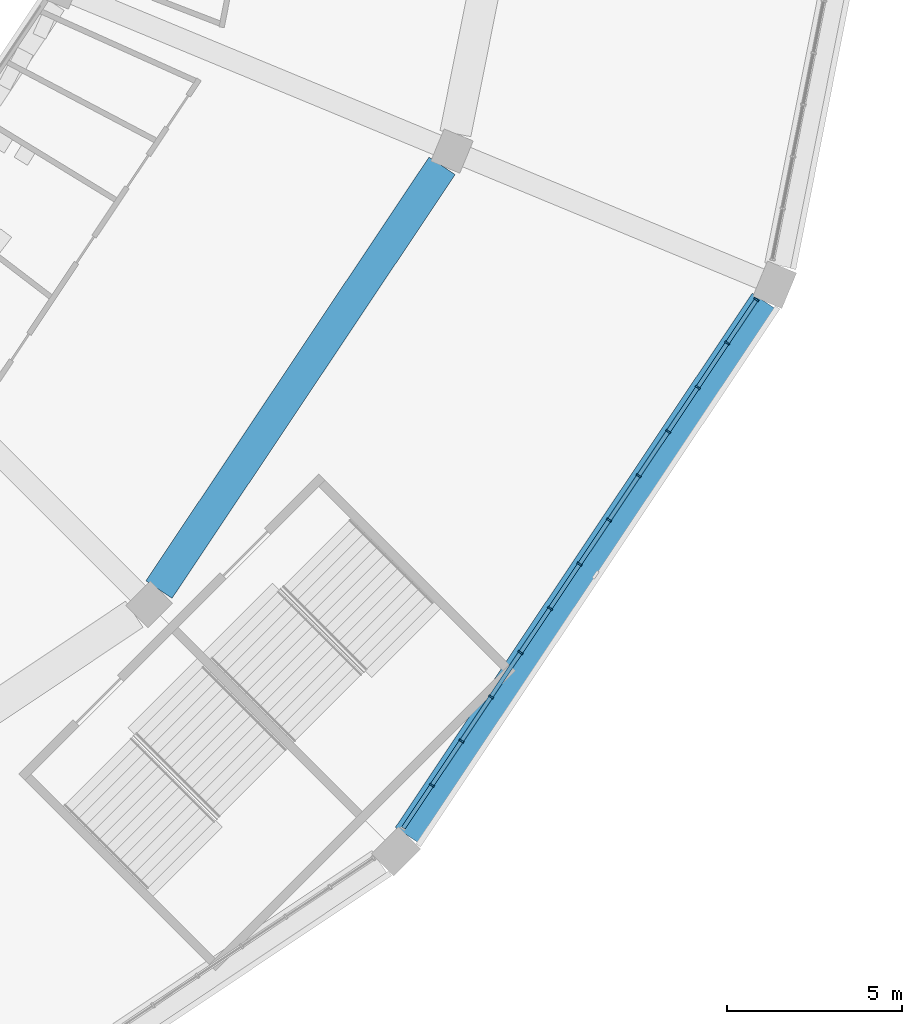
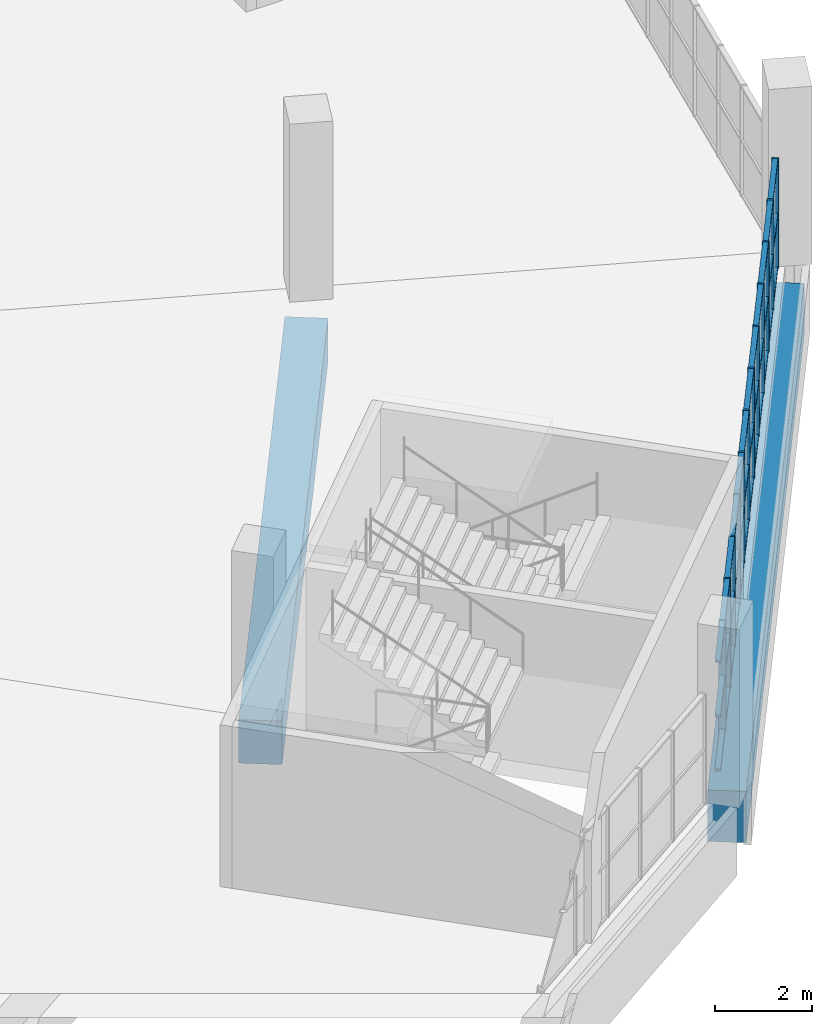
# One storey, part 24 of 199: 48 members, 2 beams, 1 element without a shape of its own.
"""IFC4 building model written with IfcOpenShell, lengths in metres."""

from ifc_helpers import new_model, si_unit, direction, frame, origin, origin_2d, place, context, subcontext, project, spatial, rectangle, extrude, material, material_profile, profile_set, type_object, element, aggregate, save


model = new_model("IFC4")

# Units and contexts
model_context = context("Model", 3, precision=1e-05, world=origin(), true_north=direction((0.0, 1.0)))
body_context = subcontext(model_context, "Body", "Model", "MODEL_VIEW")
ifc_project = project(units=[si_unit("LENGTHUNIT", "METRE"), si_unit("AREAUNIT", "SQUARE_METRE"), si_unit("VOLUMEUNIT", "CUBIC_METRE"), si_unit("PLANEANGLEUNIT", "RADIAN"), si_unit("MASSUNIT", "GRAM", prefix="KILO")], contexts=[model_context])

# Site, building, storey
site_placement = place(None, origin())
site = spatial("IfcSite", under=ifc_project, at=site_placement, CompositionType="ELEMENT")
building_placement = place(site_placement, origin())
building = spatial("IfcBuilding", under=site, at=building_placement, Name="Ogive Plaza Stadium", CompositionType="ELEMENT")
storey_placement = place(building_placement, frame((0.0, 0.0, 9.0)))
storey = spatial("IfcBuildingStorey", under=building, at=storey_placement, Name="L02", CompositionType="ELEMENT", Elevation=9.0)

# Curtain wall, members
ifc_material_1 = material(Name="Bronze-anodised aluminium with laminated glass", Category="aluminium")
curtain_wall_type = type_object("IfcCurtainWallType", Name="Lancet curtain wall", PredefinedType="NOTDEFINED", material=ifc_material_1)
curtain_wall_placement = place(storey_placement, origin())
curtain_wall = element("IfcCurtainWall", 1, at=curtain_wall_placement, inside=storey, type_object=curtain_wall_type, Name="CURTAIN WALL B09 L02", PredefinedType="NOTDEFINED")
ifc_material_2 = material(Name="Bronze-anodised aluminium", Category="aluminium")
ifc_material_profile_1 = material_profile(ifc_material_2, rectangle(XDim=0.14990234375, YDim=0.050048828125, at=origin_2d()), Name="AL 150x50")
ifc_profile_set_1 = profile_set([ifc_material_profile_1], Name="Bronze-anodised aluminium")
member_type_1 = type_object("IfcMemberType", Name="Curtain wall mullion 50x150", PredefinedType="MULLION", material=ifc_profile_set_1)
member_1_placement = place(storey_placement, frame((79.669189453125, -72.059814453125, 0.0), z_axis=(0.0, 0.0, 1.0), x_axis=(0.831469612303, -0.55557023302, 0.0)))
member_1 = element("IfcMember", 2, at=member_1_placement, type_object=member_type_1, Name="CW-B09-L02 mullion 1", PredefinedType="MULLION", context=body_context, shape_type="SweptSolid", body=[
    extrude(rectangle(XDim=0.14990234375, YDim=0.050048828125, at=origin_2d()), origin(), (0.0, 0.0, 1.0), 2.7900390625),
])
member_2_placement = place(storey_placement, frame((78.837158203125, -73.3046875, 0.0), z_axis=(0.0, 0.0, 1.0), x_axis=(0.831469612303, -0.55557023302, 0.0)))
member_2 = element("IfcMember", 3, at=member_2_placement, type_object=member_type_1, Name="CW-B09-L02 mullion 2", PredefinedType="MULLION", context=body_context, shape_type="SweptSolid", body=[
    extrude(rectangle(XDim=0.14990234375, YDim=0.050048828125, at=origin_2d()), origin(), (0.0, 0.0, 1.0), 2.7900390625),
])
member_3_placement = place(storey_placement, frame((77.991455078125, -74.570556640625, 0.0), z_axis=(0.0, 0.0, 1.0), x_axis=(0.831469612303, -0.55557023302, 0.0)))
member_3 = element("IfcMember", 4, at=member_3_placement, type_object=member_type_1, Name="CW-B09-L02 mullion 3", PredefinedType="MULLION", context=body_context, shape_type="SweptSolid", body=[
    extrude(rectangle(XDim=0.14990234375, YDim=0.050048828125, at=origin_2d()), origin(), (0.0, 0.0, 1.0), 2.7900390625),
])
member_4_placement = place(storey_placement, frame((77.145751953125, -75.836181640625, 0.0), z_axis=(0.0, 0.0, 1.0), x_axis=(0.831469612303, -0.55557023302, 0.0)))
member_4 = element("IfcMember", 5, at=member_4_placement, type_object=member_type_1, Name="CW-B09-L02 mullion 4", PredefinedType="MULLION", context=body_context, shape_type="SweptSolid", body=[
    extrude(rectangle(XDim=0.14990234375, YDim=0.050048828125, at=origin_2d()), origin(), (0.0, 0.0, 1.0), 2.7900390625),
])
member_5_placement = place(storey_placement, frame((76.2998046875, -77.10205078125, 0.0), z_axis=(0.0, 0.0, 1.0), x_axis=(0.831469612303, -0.55557023302, 0.0)))
member_5 = element("IfcMember", 6, at=member_5_placement, type_object=member_type_1, Name="CW-B09-L02 mullion 5", PredefinedType="MULLION", context=body_context, shape_type="SweptSolid", body=[
    extrude(rectangle(XDim=0.14990234375, YDim=0.050048828125, at=origin_2d()), origin(), (0.0, 0.0, 1.0), 2.7900390625),
])
member_6_placement = place(storey_placement, frame((75.4541015625, -78.367919921875, 0.0), z_axis=(0.0, 0.0, 1.0), x_axis=(0.831469612303, -0.55557023302, 0.0)))
member_6 = element("IfcMember", 7, at=member_6_placement, type_object=member_type_1, Name="CW-B09-L02 mullion 6", PredefinedType="MULLION", context=body_context, shape_type="SweptSolid", body=[
    extrude(rectangle(XDim=0.14990234375, YDim=0.050048828125, at=origin_2d()), origin(), (0.0, 0.0, 1.0), 2.7900390625),
])
member_7_placement = place(storey_placement, frame((74.6083984375, -79.633544921875, 0.0), z_axis=(0.0, 0.0, 1.0), x_axis=(0.831469612303, -0.55557023302, 0.0)))
member_7 = element("IfcMember", 8, at=member_7_placement, type_object=member_type_1, Name="CW-B09-L02 mullion 7", PredefinedType="MULLION", context=body_context, shape_type="SweptSolid", body=[
    extrude(rectangle(XDim=0.14990234375, YDim=0.050048828125, at=origin_2d()), origin(), (0.0, 0.0, 1.0), 2.7900390625),
])
member_8_placement = place(storey_placement, frame((73.7626953125, -80.8994140625, 0.0), z_axis=(0.0, 0.0, 1.0), x_axis=(0.831469612303, -0.55557023302, 0.0)))
member_8 = element("IfcMember", 9, at=member_8_placement, type_object=member_type_1, Name="CW-B09-L02 mullion 8", PredefinedType="MULLION", context=body_context, shape_type="SweptSolid", body=[
    extrude(rectangle(XDim=0.14990234375, YDim=0.050048828125, at=origin_2d()), origin(), (0.0, 0.0, 1.0), 2.7900390625),
])
member_9_placement = place(storey_placement, frame((72.916748046875, -82.165283203125, 0.0), z_axis=(0.0, 0.0, 1.0), x_axis=(0.831469612303, -0.55557023302, 0.0)))
member_9 = element("IfcMember", 10, at=member_9_placement, type_object=member_type_1, Name="CW-B09-L02 mullion 9", PredefinedType="MULLION", context=body_context, shape_type="SweptSolid", body=[
    extrude(rectangle(XDim=0.14990234375, YDim=0.050048828125, at=origin_2d()), origin(), (0.0, 0.0, 1.0), 2.7900390625),
])
member_10_placement = place(storey_placement, frame((72.071044921875, -83.430908203125, 0.0), z_axis=(0.0, 0.0, 1.0), x_axis=(0.831469612303, -0.55557023302, 0.0)))
member_10 = element("IfcMember", 11, at=member_10_placement, type_object=member_type_1, Name="CW-B09-L02 mullion 10", PredefinedType="MULLION", context=body_context, shape_type="SweptSolid", body=[
    extrude(rectangle(XDim=0.14990234375, YDim=0.050048828125, at=origin_2d()), origin(), (0.0, 0.0, 1.0), 2.7900390625),
])
member_11_placement = place(storey_placement, frame((71.225341796875, -84.69677734375, 0.0), z_axis=(0.0, 0.0, 1.0), x_axis=(0.831469612303, -0.55557023302, 0.0)))
member_11 = element("IfcMember", 12, at=member_11_placement, type_object=member_type_1, Name="CW-B09-L02 mullion 11", PredefinedType="MULLION", context=body_context, shape_type="SweptSolid", body=[
    extrude(rectangle(XDim=0.14990234375, YDim=0.050048828125, at=origin_2d()), origin(), (0.0, 0.0, 1.0), 2.7900390625),
])
member_12_placement = place(storey_placement, frame((70.379638671875, -85.962646484375, 0.0), z_axis=(0.0, 0.0, 1.0), x_axis=(0.831469612303, -0.55557023302, 0.0)))
member_12 = element("IfcMember", 13, at=member_12_placement, type_object=member_type_1, Name="CW-B09-L02 mullion 12", PredefinedType="MULLION", context=body_context, shape_type="SweptSolid", body=[
    extrude(rectangle(XDim=0.14990234375, YDim=0.050048828125, at=origin_2d()), origin(), (0.0, 0.0, 1.0), 2.7900390625),
])
ifc_material_3 = material(Name="Bronze-anodised aluminium", Category="aluminium")
ifc_material_profile_2 = material_profile(ifc_material_3, rectangle(XDim=0.1201171875, YDim=0.050048828125, at=origin_2d()), Name="AL 120x50")
ifc_profile_set_2 = profile_set([ifc_material_profile_2], Name="Bronze-anodised aluminium")
member_type_2 = type_object("IfcMemberType", Name="Curtain wall transom 50x120", PredefinedType="USERDEFINED", material=ifc_profile_set_2)
member_13_placement = place(storey_placement, frame((79.6552734375, -72.08056640625, 0.02490234375), z_axis=(-0.555634077892, -0.831426948977, 0.0), x_axis=(0.831426948977, -0.555634077892, 0.0)))
member_13 = element("IfcMember", 14, at=member_13_placement, type_object=member_type_2, Name="CW-B09-L02 transom 1.1", ObjectType="TRANSOM", PredefinedType="USERDEFINED", context=body_context, shape_type="SweptSolid", body=[
    extrude(rectangle(XDim=0.1201171875, YDim=0.050048828125, at=origin_2d()), origin(), (0.0, 0.0, 1.0), 1.447265625),
])
member_14_placement = place(storey_placement, frame((79.6552734375, -72.08056640625, 1.39501953125), z_axis=(-0.555634077892, -0.831426948977, 0.0), x_axis=(0.831426948977, -0.555634077892, 0.0)))
member_14 = element("IfcMember", 15, at=member_14_placement, type_object=member_type_2, Name="CW-B09-L02 transom 1.2", ObjectType="TRANSOM", PredefinedType="USERDEFINED", context=body_context, shape_type="SweptSolid", body=[
    extrude(rectangle(XDim=0.1201171875, YDim=0.050048828125, at=origin_2d()), origin(), (0.0, 0.0, 1.0), 1.447265625),
])
member_15_placement = place(storey_placement, frame((79.6552734375, -72.08056640625, 2.764892578125), z_axis=(-0.555634077892, -0.831426948977, 0.0), x_axis=(0.831426948977, -0.555634077892, 0.0)))
member_15 = element("IfcMember", 16, at=member_15_placement, type_object=member_type_2, Name="CW-B09-L02 transom 1.3", ObjectType="TRANSOM", PredefinedType="USERDEFINED", context=body_context, shape_type="SweptSolid", body=[
    extrude(rectangle(XDim=0.1201171875, YDim=0.050048828125, at=origin_2d()), origin(), (0.0, 0.0, 1.0), 1.447265625),
])
member_16_placement = place(storey_placement, frame((78.8232421875, -73.325439453125, 0.02490234375), z_axis=(-0.555465240925, -0.83153975619, 0.0), x_axis=(0.83153975619, -0.555465240925, 0.0)))
member_16 = element("IfcMember", 17, at=member_16_placement, type_object=member_type_2, Name="CW-B09-L02 transom 2.1", ObjectType="TRANSOM", PredefinedType="USERDEFINED", context=body_context, shape_type="SweptSolid", body=[
    extrude(rectangle(XDim=0.1201171875, YDim=0.050048828125, at=origin_2d()), origin(), (0.0, 0.0, 1.0), 1.472412109375),
])
member_17_placement = place(storey_placement, frame((78.8232421875, -73.325439453125, 1.39501953125), z_axis=(-0.555465240925, -0.83153975619, 0.0), x_axis=(0.83153975619, -0.555465240925, 0.0)))
member_17 = element("IfcMember", 18, at=member_17_placement, type_object=member_type_2, Name="CW-B09-L02 transom 2.2", ObjectType="TRANSOM", PredefinedType="USERDEFINED", context=body_context, shape_type="SweptSolid", body=[
    extrude(rectangle(XDim=0.1201171875, YDim=0.050048828125, at=origin_2d()), origin(), (0.0, 0.0, 1.0), 1.472412109375),
])
member_18_placement = place(storey_placement, frame((78.8232421875, -73.325439453125, 2.764892578125), z_axis=(-0.555465240925, -0.83153975619, 0.0), x_axis=(0.83153975619, -0.555465240925, 0.0)))
member_18 = element("IfcMember", 19, at=member_18_placement, type_object=member_type_2, Name="CW-B09-L02 transom 2.3", ObjectType="TRANSOM", PredefinedType="USERDEFINED", context=body_context, shape_type="SweptSolid", body=[
    extrude(rectangle(XDim=0.1201171875, YDim=0.050048828125, at=origin_2d()), origin(), (0.0, 0.0, 1.0), 1.472412109375),
])
member_19_placement = place(storey_placement, frame((77.9775390625, -74.59130859375, 0.02490234375), z_axis=(-0.555541835587, -0.831488586159, 0.0), x_axis=(0.831488586159, -0.555541835587, 0.0)))
member_19 = element("IfcMember", 20, at=member_19_placement, type_object=member_type_2, Name="CW-B09-L02 transom 3.1", ObjectType="TRANSOM", PredefinedType="USERDEFINED", context=body_context, shape_type="SweptSolid", body=[
    extrude(rectangle(XDim=0.1201171875, YDim=0.050048828125, at=origin_2d()), origin(), (0.0, 0.0, 1.0), 1.47216796875),
])
member_20_placement = place(storey_placement, frame((77.9775390625, -74.59130859375, 1.39501953125), z_axis=(-0.555541835587, -0.831488586159, 0.0), x_axis=(0.831488586159, -0.555541835587, 0.0)))
member_20 = element("IfcMember", 21, at=member_20_placement, type_object=member_type_2, Name="CW-B09-L02 transom 3.2", ObjectType="TRANSOM", PredefinedType="USERDEFINED", context=body_context, shape_type="SweptSolid", body=[
    extrude(rectangle(XDim=0.1201171875, YDim=0.050048828125, at=origin_2d()), origin(), (0.0, 0.0, 1.0), 1.47216796875),
])
member_21_placement = place(storey_placement, frame((77.9775390625, -74.59130859375, 2.764892578125), z_axis=(-0.555541835587, -0.831488586159, 0.0), x_axis=(0.831488586159, -0.555541835587, 0.0)))
member_21 = element("IfcMember", 22, at=member_21_placement, type_object=member_type_2, Name="CW-B09-L02 transom 3.3", ObjectType="TRANSOM", PredefinedType="USERDEFINED", context=body_context, shape_type="SweptSolid", body=[
    extrude(rectangle(XDim=0.1201171875, YDim=0.050048828125, at=origin_2d()), origin(), (0.0, 0.0, 1.0), 1.47216796875),
])
member_22_placement = place(storey_placement, frame((77.1318359375, -75.857177734375, 0.02490234375), z_axis=(-0.555656472512, -0.831411982446, 0.0), x_axis=(0.831411982446, -0.555656472512, 0.0)))
member_22 = element("IfcMember", 23, at=member_22_placement, type_object=member_type_2, Name="CW-B09-L02 transom 4.1", ObjectType="TRANSOM", PredefinedType="USERDEFINED", context=body_context, shape_type="SweptSolid", body=[
    extrude(rectangle(XDim=0.1201171875, YDim=0.050048828125, at=origin_2d()), origin(), (0.0, 0.0, 1.0), 1.472412109375),
])
member_23_placement = place(storey_placement, frame((77.1318359375, -75.857177734375, 1.39501953125), z_axis=(-0.555656472512, -0.831411982446, 0.0), x_axis=(0.831411982446, -0.555656472512, 0.0)))
member_23 = element("IfcMember", 24, at=member_23_placement, type_object=member_type_2, Name="CW-B09-L02 transom 4.2", ObjectType="TRANSOM", PredefinedType="USERDEFINED", context=body_context, shape_type="SweptSolid", body=[
    extrude(rectangle(XDim=0.1201171875, YDim=0.050048828125, at=origin_2d()), origin(), (0.0, 0.0, 1.0), 1.472412109375),
])
member_24_placement = place(storey_placement, frame((77.1318359375, -75.857177734375, 2.764892578125), z_axis=(-0.555656472512, -0.831411982446, 0.0), x_axis=(0.831411982446, -0.555656472512, 0.0)))
member_24 = element("IfcMember", 25, at=member_24_placement, type_object=member_type_2, Name="CW-B09-L02 transom 4.3", ObjectType="TRANSOM", PredefinedType="USERDEFINED", context=body_context, shape_type="SweptSolid", body=[
    extrude(rectangle(XDim=0.1201171875, YDim=0.050048828125, at=origin_2d()), origin(), (0.0, 0.0, 1.0), 1.472412109375),
])
member_25_placement = place(storey_placement, frame((76.2861328125, -77.122802734375, 0.02490234375), z_axis=(-0.555579876157, -0.831463168883, 0.0), x_axis=(0.831463168883, -0.555579876157, 0.0)))
member_25 = element("IfcMember", 26, at=member_25_placement, type_object=member_type_2, Name="CW-B09-L02 transom 5.1", ObjectType="TRANSOM", PredefinedType="USERDEFINED", context=body_context, shape_type="SweptSolid", body=[
    extrude(rectangle(XDim=0.1201171875, YDim=0.050048828125, at=origin_2d()), origin(), (0.0, 0.0, 1.0), 1.47265625),
])
member_26_placement = place(storey_placement, frame((76.2861328125, -77.122802734375, 1.39501953125), z_axis=(-0.555579876157, -0.831463168883, 0.0), x_axis=(0.831463168883, -0.555579876157, 0.0)))
member_26 = element("IfcMember", 27, at=member_26_placement, type_object=member_type_2, Name="CW-B09-L02 transom 5.2", ObjectType="TRANSOM", PredefinedType="USERDEFINED", context=body_context, shape_type="SweptSolid", body=[
    extrude(rectangle(XDim=0.1201171875, YDim=0.050048828125, at=origin_2d()), origin(), (0.0, 0.0, 1.0), 1.47265625),
])
member_27_placement = place(storey_placement, frame((76.2861328125, -77.122802734375, 2.764892578125), z_axis=(-0.555579876157, -0.831463168883, 0.0), x_axis=(0.831463168883, -0.555579876157, 0.0)))
member_27 = element("IfcMember", 28, at=member_27_placement, type_object=member_type_2, Name="CW-B09-L02 transom 5.3", ObjectType="TRANSOM", PredefinedType="USERDEFINED", context=body_context, shape_type="SweptSolid", body=[
    extrude(rectangle(XDim=0.1201171875, YDim=0.050048828125, at=origin_2d()), origin(), (0.0, 0.0, 1.0), 1.47265625),
])
member_28_placement = place(storey_placement, frame((75.440185546875, -78.388671875, 0.02490234375), z_axis=(-0.555541835587, -0.831488586159, 0.0), x_axis=(0.831488586159, -0.555541835587, 0.0)))
member_28 = element("IfcMember", 29, at=member_28_placement, type_object=member_type_2, Name="CW-B09-L02 transom 6.1", ObjectType="TRANSOM", PredefinedType="USERDEFINED", context=body_context, shape_type="SweptSolid", body=[
    extrude(rectangle(XDim=0.1201171875, YDim=0.050048828125, at=origin_2d()), origin(), (0.0, 0.0, 1.0), 1.47216796875),
])
member_29_placement = place(storey_placement, frame((75.440185546875, -78.388671875, 1.39501953125), z_axis=(-0.555541835587, -0.831488586159, 0.0), x_axis=(0.831488586159, -0.555541835587, 0.0)))
member_29 = element("IfcMember", 30, at=member_29_placement, type_object=member_type_2, Name="CW-B09-L02 transom 6.2", ObjectType="TRANSOM", PredefinedType="USERDEFINED", context=body_context, shape_type="SweptSolid", body=[
    extrude(rectangle(XDim=0.1201171875, YDim=0.050048828125, at=origin_2d()), origin(), (0.0, 0.0, 1.0), 1.47216796875),
])
member_30_placement = place(storey_placement, frame((75.440185546875, -78.388671875, 2.764892578125), z_axis=(-0.555541835587, -0.831488586159, 0.0), x_axis=(0.831488586159, -0.555541835587, 0.0)))
member_30 = element("IfcMember", 31, at=member_30_placement, type_object=member_type_2, Name="CW-B09-L02 transom 6.3", ObjectType="TRANSOM", PredefinedType="USERDEFINED", context=body_context, shape_type="SweptSolid", body=[
    extrude(rectangle(XDim=0.1201171875, YDim=0.050048828125, at=origin_2d()), origin(), (0.0, 0.0, 1.0), 1.47216796875),
])
member_31_placement = place(storey_placement, frame((74.594482421875, -79.654541015625, 0.02490234375), z_axis=(-0.555656472512, -0.831411982446, 0.0), x_axis=(0.831411982446, -0.555656472512, 0.0)))
member_31 = element("IfcMember", 32, at=member_31_placement, type_object=member_type_2, Name="CW-B09-L02 transom 7.1", ObjectType="TRANSOM", PredefinedType="USERDEFINED", context=body_context, shape_type="SweptSolid", body=[
    extrude(rectangle(XDim=0.1201171875, YDim=0.050048828125, at=origin_2d()), origin(), (0.0, 0.0, 1.0), 1.472412109375),
])
member_32_placement = place(storey_placement, frame((74.594482421875, -79.654541015625, 1.39501953125), z_axis=(-0.555656472512, -0.831411982446, 0.0), x_axis=(0.831411982446, -0.555656472512, 0.0)))
member_32 = element("IfcMember", 33, at=member_32_placement, type_object=member_type_2, Name="CW-B09-L02 transom 7.2", ObjectType="TRANSOM", PredefinedType="USERDEFINED", context=body_context, shape_type="SweptSolid", body=[
    extrude(rectangle(XDim=0.1201171875, YDim=0.050048828125, at=origin_2d()), origin(), (0.0, 0.0, 1.0), 1.472412109375),
])
member_33_placement = place(storey_placement, frame((74.594482421875, -79.654541015625, 2.764892578125), z_axis=(-0.555656472512, -0.831411982446, 0.0), x_axis=(0.831411982446, -0.555656472512, 0.0)))
member_33 = element("IfcMember", 34, at=member_33_placement, type_object=member_type_2, Name="CW-B09-L02 transom 7.3", ObjectType="TRANSOM", PredefinedType="USERDEFINED", context=body_context, shape_type="SweptSolid", body=[
    extrude(rectangle(XDim=0.1201171875, YDim=0.050048828125, at=origin_2d()), origin(), (0.0, 0.0, 1.0), 1.472412109375),
])
member_34_placement = place(storey_placement, frame((73.748779296875, -80.920166015625, 0.02490234375), z_axis=(-0.555579876157, -0.831463168883, 0.0), x_axis=(0.831463168883, -0.555579876157, 0.0)))
member_34 = element("IfcMember", 35, at=member_34_placement, type_object=member_type_2, Name="CW-B09-L02 transom 8.1", ObjectType="TRANSOM", PredefinedType="USERDEFINED", context=body_context, shape_type="SweptSolid", body=[
    extrude(rectangle(XDim=0.1201171875, YDim=0.050048828125, at=origin_2d()), origin(), (0.0, 0.0, 1.0), 1.47265625),
])
member_35_placement = place(storey_placement, frame((73.748779296875, -80.920166015625, 1.39501953125), z_axis=(-0.555579876157, -0.831463168883, 0.0), x_axis=(0.831463168883, -0.555579876157, 0.0)))
member_35 = element("IfcMember", 36, at=member_35_placement, type_object=member_type_2, Name="CW-B09-L02 transom 8.2", ObjectType="TRANSOM", PredefinedType="USERDEFINED", context=body_context, shape_type="SweptSolid", body=[
    extrude(rectangle(XDim=0.1201171875, YDim=0.050048828125, at=origin_2d()), origin(), (0.0, 0.0, 1.0), 1.47265625),
])
member_36_placement = place(storey_placement, frame((73.748779296875, -80.920166015625, 2.764892578125), z_axis=(-0.555579876157, -0.831463168883, 0.0), x_axis=(0.831463168883, -0.555579876157, 0.0)))
member_36 = element("IfcMember", 37, at=member_36_placement, type_object=member_type_2, Name="CW-B09-L02 transom 8.3", ObjectType="TRANSOM", PredefinedType="USERDEFINED", context=body_context, shape_type="SweptSolid", body=[
    extrude(rectangle(XDim=0.1201171875, YDim=0.050048828125, at=origin_2d()), origin(), (0.0, 0.0, 1.0), 1.47265625),
])
member_37_placement = place(storey_placement, frame((72.90283203125, -82.18603515625, 0.02490234375), z_axis=(-0.555541835587, -0.831488586159, 0.0), x_axis=(0.831488586159, -0.555541835587, 0.0)))
member_37 = element("IfcMember", 38, at=member_37_placement, type_object=member_type_2, Name="CW-B09-L02 transom 9.1", ObjectType="TRANSOM", PredefinedType="USERDEFINED", context=body_context, shape_type="SweptSolid", body=[
    extrude(rectangle(XDim=0.1201171875, YDim=0.050048828125, at=origin_2d()), origin(), (0.0, 0.0, 1.0), 1.47216796875),
])
member_38_placement = place(storey_placement, frame((72.90283203125, -82.18603515625, 1.39501953125), z_axis=(-0.555541835587, -0.831488586159, 0.0), x_axis=(0.831488586159, -0.555541835587, 0.0)))
member_38 = element("IfcMember", 39, at=member_38_placement, type_object=member_type_2, Name="CW-B09-L02 transom 9.2", ObjectType="TRANSOM", PredefinedType="USERDEFINED", context=body_context, shape_type="SweptSolid", body=[
    extrude(rectangle(XDim=0.1201171875, YDim=0.050048828125, at=origin_2d()), origin(), (0.0, 0.0, 1.0), 1.47216796875),
])
member_39_placement = place(storey_placement, frame((72.90283203125, -82.18603515625, 2.764892578125), z_axis=(-0.555541835587, -0.831488586159, 0.0), x_axis=(0.831488586159, -0.555541835587, 0.0)))
member_39 = element("IfcMember", 40, at=member_39_placement, type_object=member_type_2, Name="CW-B09-L02 transom 9.3", ObjectType="TRANSOM", PredefinedType="USERDEFINED", context=body_context, shape_type="SweptSolid", body=[
    extrude(rectangle(XDim=0.1201171875, YDim=0.050048828125, at=origin_2d()), origin(), (0.0, 0.0, 1.0), 1.47216796875),
])
member_40_placement = place(storey_placement, frame((72.05712890625, -83.45166015625, 0.02490234375), z_axis=(-0.555465240925, -0.83153975619, 0.0), x_axis=(0.83153975619, -0.555465240925, 0.0)))
member_40 = element("IfcMember", 41, at=member_40_placement, type_object=member_type_2, Name="CW-B09-L02 transom 10.1", ObjectType="TRANSOM", PredefinedType="USERDEFINED", context=body_context, shape_type="SweptSolid", body=[
    extrude(rectangle(XDim=0.1201171875, YDim=0.050048828125, at=origin_2d()), origin(), (0.0, 0.0, 1.0), 1.472412109375),
])
member_41_placement = place(storey_placement, frame((72.05712890625, -83.45166015625, 1.39501953125), z_axis=(-0.555465240925, -0.83153975619, 0.0), x_axis=(0.83153975619, -0.555465240925, 0.0)))
member_41 = element("IfcMember", 42, at=member_41_placement, type_object=member_type_2, Name="CW-B09-L02 transom 10.2", ObjectType="TRANSOM", PredefinedType="USERDEFINED", context=body_context, shape_type="SweptSolid", body=[
    extrude(rectangle(XDim=0.1201171875, YDim=0.050048828125, at=origin_2d()), origin(), (0.0, 0.0, 1.0), 1.472412109375),
])
member_42_placement = place(storey_placement, frame((72.05712890625, -83.45166015625, 2.764892578125), z_axis=(-0.555465240925, -0.83153975619, 0.0), x_axis=(0.83153975619, -0.555465240925, 0.0)))
member_42 = element("IfcMember", 43, at=member_42_placement, type_object=member_type_2, Name="CW-B09-L02 transom 10.3", ObjectType="TRANSOM", PredefinedType="USERDEFINED", context=body_context, shape_type="SweptSolid", body=[
    extrude(rectangle(XDim=0.1201171875, YDim=0.050048828125, at=origin_2d()), origin(), (0.0, 0.0, 1.0), 1.472412109375),
])
member_43_placement = place(storey_placement, frame((71.21142578125, -84.717529296875, 0.02490234375), z_axis=(-0.555656472512, -0.831411982446, 0.0), x_axis=(0.831411982446, -0.555656472512, 0.0)))
member_43 = element("IfcMember", 44, at=member_43_placement, type_object=member_type_2, Name="CW-B09-L02 transom 11.1", ObjectType="TRANSOM", PredefinedType="USERDEFINED", context=body_context, shape_type="SweptSolid", body=[
    extrude(rectangle(XDim=0.1201171875, YDim=0.050048828125, at=origin_2d()), origin(), (0.0, 0.0, 1.0), 1.472412109375),
])
member_44_placement = place(storey_placement, frame((71.21142578125, -84.717529296875, 1.39501953125), z_axis=(-0.555656472512, -0.831411982446, 0.0), x_axis=(0.831411982446, -0.555656472512, 0.0)))
member_44 = element("IfcMember", 45, at=member_44_placement, type_object=member_type_2, Name="CW-B09-L02 transom 11.2", ObjectType="TRANSOM", PredefinedType="USERDEFINED", context=body_context, shape_type="SweptSolid", body=[
    extrude(rectangle(XDim=0.1201171875, YDim=0.050048828125, at=origin_2d()), origin(), (0.0, 0.0, 1.0), 1.472412109375),
])
member_45_placement = place(storey_placement, frame((71.21142578125, -84.717529296875, 2.764892578125), z_axis=(-0.555656472512, -0.831411982446, 0.0), x_axis=(0.831411982446, -0.555656472512, 0.0)))
member_45 = element("IfcMember", 46, at=member_45_placement, type_object=member_type_2, Name="CW-B09-L02 transom 11.3", ObjectType="TRANSOM", PredefinedType="USERDEFINED", context=body_context, shape_type="SweptSolid", body=[
    extrude(rectangle(XDim=0.1201171875, YDim=0.050048828125, at=origin_2d()), origin(), (0.0, 0.0, 1.0), 1.472412109375),
])
member_46_placement = place(storey_placement, frame((70.36572265625, -85.9833984375, 0.02490234375), z_axis=(-0.555634077892, -0.831426948977, 0.0), x_axis=(0.831426948977, -0.555634077892, 0.0)))
member_46 = element("IfcMember", 47, at=member_46_placement, type_object=member_type_2, Name="CW-B09-L02 transom 12.1", ObjectType="TRANSOM", PredefinedType="USERDEFINED", context=body_context, shape_type="SweptSolid", body=[
    extrude(rectangle(XDim=0.1201171875, YDim=0.050048828125, at=origin_2d()), origin(), (0.0, 0.0, 1.0), 1.447265625),
])
member_47_placement = place(storey_placement, frame((70.36572265625, -85.9833984375, 1.39501953125), z_axis=(-0.555634077892, -0.831426948977, 0.0), x_axis=(0.831426948977, -0.555634077892, 0.0)))
member_47 = element("IfcMember", 48, at=member_47_placement, type_object=member_type_2, Name="CW-B09-L02 transom 12.2", ObjectType="TRANSOM", PredefinedType="USERDEFINED", context=body_context, shape_type="SweptSolid", body=[
    extrude(rectangle(XDim=0.1201171875, YDim=0.050048828125, at=origin_2d()), origin(), (0.0, 0.0, 1.0), 1.447265625),
])
member_48_placement = place(storey_placement, frame((70.36572265625, -85.9833984375, 2.764892578125), z_axis=(-0.555634077892, -0.831426948977, 0.0), x_axis=(0.831426948977, -0.555634077892, 0.0)))
member_48 = element("IfcMember", 49, at=member_48_placement, type_object=member_type_2, Name="CW-B09-L02 transom 12.3", ObjectType="TRANSOM", PredefinedType="USERDEFINED", context=body_context, shape_type="SweptSolid", body=[
    extrude(rectangle(XDim=0.1201171875, YDim=0.050048828125, at=origin_2d()), origin(), (0.0, 0.0, 1.0), 1.447265625),
])
aggregate(curtain_wall, [member_1, member_2, member_3, member_4, member_5, member_6, member_7, member_8, member_9, member_10, member_11, member_12, member_13, member_14, member_15, member_16, member_17, member_18, member_19, member_20, member_21, member_22, member_23, member_24, member_25, member_26, member_27, member_28, member_29, member_30, member_31, member_32, member_33, member_34, member_35, member_36, member_37, member_38, member_39, member_40, member_41, member_42, member_43, member_44, member_45, member_46, member_47, member_48])

# Beams
ifc_material_4 = material(Name="Concrete C40/50", Category="concrete")
ifc_material_profile_3 = material_profile(ifc_material_4, rectangle(XDim=0.89990234375, YDim=1.10009765625, at=origin_2d()), Name="RC 900x1100")
ifc_profile_set_3 = profile_set([ifc_material_profile_3], Name="Concrete C40/50")
beam_type_1 = type_object("IfcBeamType", Name="RC ring beam 900x1100", PredefinedType="BEAM", material=ifc_profile_set_3)
beam_1_placement = place(storey_placement, frame((70.671875, -68.231201171875, -0.9599609375), z_axis=(-0.555572744827, -0.831467933961, 0.0), x_axis=(0.831467933961, -0.555572744827, 0.0)))
element("IfcBeam", 50, at=beam_1_placement, inside=storey, type_object=beam_type_1, Name="Ring beam F4 L02 B09", PredefinedType="BEAM", context=body_context, shape_type="SweptSolid", body=[
    extrude(rectangle(XDim=0.89990234375, YDim=1.10009765625, at=origin_2d()), origin(), (0.0, 0.0, 1.0), 14.587646484375),
])
ifc_material_5 = material(Name="Concrete C40/50", Category="concrete")
ifc_material_profile_4 = material_profile(ifc_material_5, rectangle(XDim=0.800048828125, YDim=1.300048828125, at=origin_2d()), Name="RC 800x1300")
ifc_profile_set_4 = profile_set([ifc_material_profile_4], Name="Concrete C40/50")
beam_type_2 = type_object("IfcBeamType", Name="RC spandrel beam 800x1300", PredefinedType="SPANDREL", material=ifc_profile_set_4)
beam_2_placement = place(storey_placement, frame((79.88232421875, -72.100341796875, -1.06005859375), z_axis=(-0.555557833169, -0.831477897484, 0.0), x_axis=(0.831477897484, -0.555557833169, 0.0)))
element("IfcBeam", 51, at=beam_2_placement, inside=storey, type_object=beam_type_2, Name="Ring beam F5 L02 B09", PredefinedType="SPANDREL", context=body_context, shape_type="SweptSolid", body=[
    extrude(rectangle(XDim=0.800048828125, YDim=1.300048828125, at=origin_2d()), origin(), (0.0, 0.0, 1.0), 18.387451171875),
])

save(model, "model.ifc")
